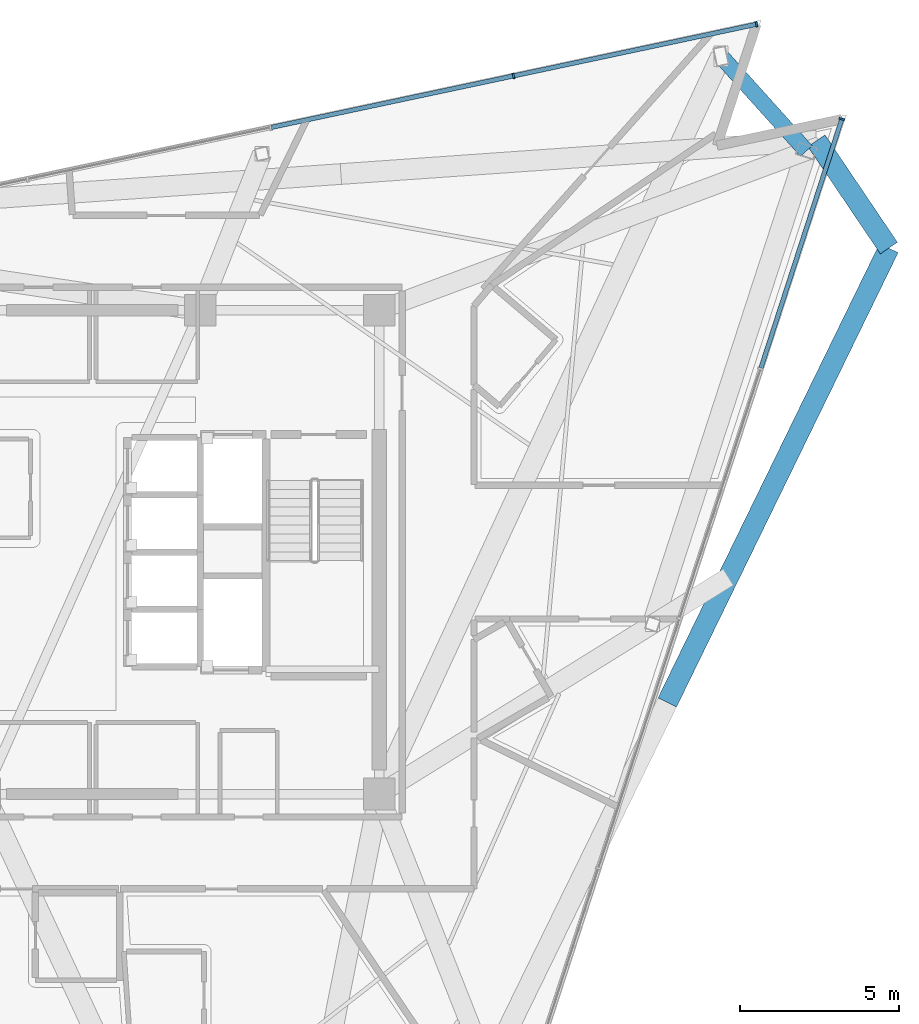
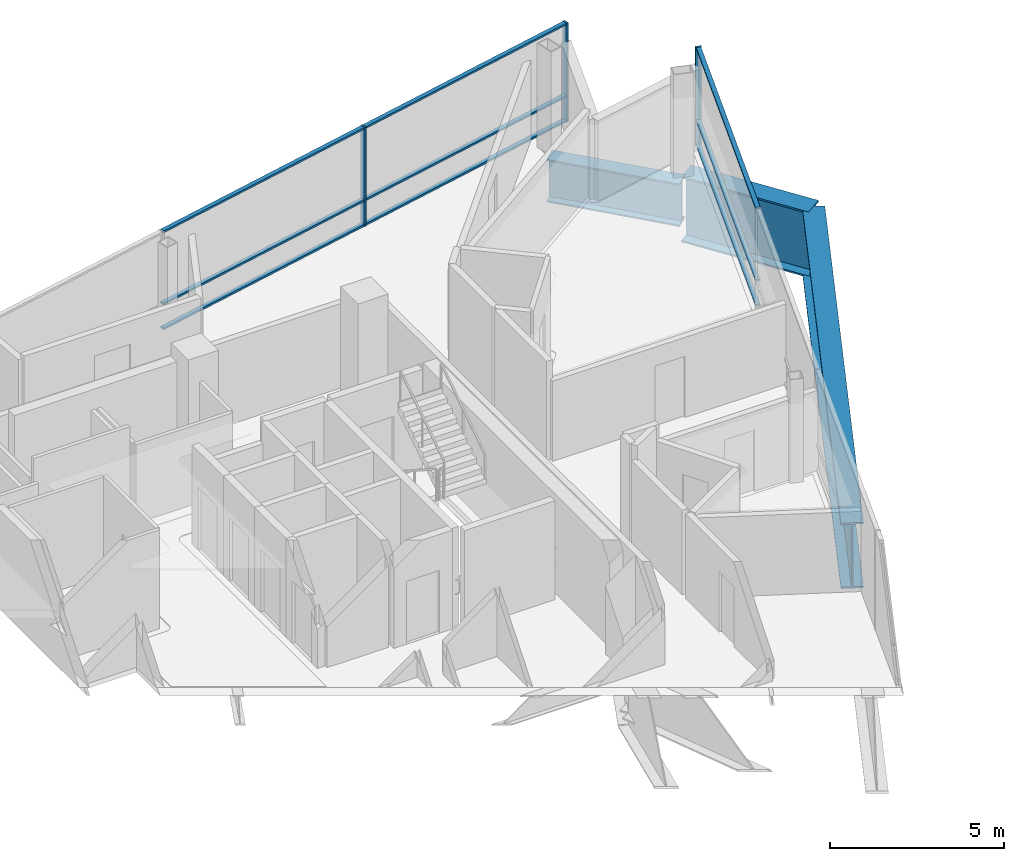
# One storey, part 8 of 18: 12 members, 3 beams, 2 elements without a shape of their own.
"""IFC4 building model written with IfcOpenShell, lengths in metres."""

from ifc_helpers import new_model, si_unit, direction, frame, origin, origin_2d, place, context, subcontext, project, spatial, rectangle, i_section, extrude, material, layer, layer_set, material_profile, profile_set, type_object, element, aggregate, save


model = new_model("IFC4")

# Units and contexts
model_context = context("Model", 3, precision=1e-05, world=origin(), true_north=direction((0.0, 1.0)))
body_context = subcontext(model_context, "Body", "Model", "MODEL_VIEW")
ifc_project = project(units=[si_unit("LENGTHUNIT", "METRE"), si_unit("AREAUNIT", "SQUARE_METRE"), si_unit("VOLUMEUNIT", "CUBIC_METRE"), si_unit("PLANEANGLEUNIT", "RADIAN"), si_unit("MASSUNIT", "GRAM", prefix="KILO")], contexts=[model_context])

# Site, building, storey
site_placement = place(None, origin())
site = spatial("IfcSite", under=ifc_project, at=site_placement, CompositionType="ELEMENT")
building_placement = place(site_placement, origin())
building = spatial("IfcBuilding", under=site, at=building_placement, Name="Tharavind Bronze Gate", CompositionType="ELEMENT")
storey_placement = place(building_placement, frame((0.0, 0.0, 279.75)))
storey = spatial("IfcBuildingStorey", under=building, at=storey_placement, Name="L72", CompositionType="ELEMENT", Elevation=279.75)

# Curtain wall, member
ifc_material_1 = material(Name="Anodised Bronze Aluminium", Category="aluminium")
ifc_layer = layer(ifc_material_1, 0.219970703125)
ifc_layer_set = layer_set([ifc_layer], Name="Anodised Bronze Aluminium")
curtain_wall_type = type_object("IfcCurtainWallType", Name="UNITISED CURTAIN WALL CROWN", PredefinedType="USERDEFINED", material=ifc_layer_set)
curtain_wall_1_placement = place(storey_placement, origin())
curtain_wall_1 = element("IfcCurtainWall", 1, at=curtain_wall_1_placement, inside=storey, type_object=curtain_wall_type, Name="L72 unitised curtain wall crown CW-L72-S2", ObjectType="UNITISED CURTAIN WALL", PredefinedType="USERDEFINED")
member_type_1 = type_object("IfcMemberType", Name="CURTAIN WALL BRONZE MULLION 65X180", PredefinedType="MULLION", material=ifc_material_1)
member_1_placement = place(storey_placement, frame((23.433837890625, 13.603271484375, 0.0), z_axis=(0.0, 0.0, 1.0), x_axis=(0.309016994375, 0.951056516295, 0.0)))
member_1 = element("IfcMember", 2, at=member_1_placement, type_object=member_type_1, Name="CW-L72-S2 mullion 7", PredefinedType="MULLION", context=body_context, shape_type="SweptSolid", body=[
    extrude(rectangle(XDim=0.06494140625, YDim=0.179931640625, at=origin_2d()), origin(), (0.0, 0.0, 1.0), 3.465087890625),
])

# Curtain wall, members
curtain_wall_2_placement = place(storey_placement, origin())
curtain_wall_2 = element("IfcCurtainWall", 3, at=curtain_wall_2_placement, inside=storey, type_object=curtain_wall_type, Name="L72 unitised curtain wall crown CW-L72-S3", ObjectType="UNITISED CURTAIN WALL", PredefinedType="USERDEFINED")
member_2_placement = place(storey_placement, frame((20.751953125, 16.581787109375, 0.0), z_axis=(0.0, 0.0, 1.0), x_axis=(-0.978147237858, -0.207913398007, 0.0)))
member_2 = element("IfcMember", 4, at=member_2_placement, type_object=member_type_1, Name="CW-L72-S3 mullion 1", PredefinedType="MULLION", context=body_context, shape_type="SweptSolid", body=[
    extrude(rectangle(XDim=0.06494140625, YDim=0.179931640625, at=origin_2d()), origin(), (0.0, 0.0, 1.0), 3.465087890625),
])
member_3_placement = place(storey_placement, frame((13.119873046875, 14.959716796875, 0.0), z_axis=(0.0, 0.0, 1.0), x_axis=(-0.978147237858, -0.207913398007, 0.0)))
member_3 = element("IfcMember", 5, at=member_3_placement, type_object=member_type_1, Name="CW-L72-S3 mullion 2", PredefinedType="MULLION", context=body_context, shape_type="SweptSolid", body=[
    extrude(rectangle(XDim=0.06494140625, YDim=0.179931640625, at=origin_2d()), origin(), (0.0, 0.0, 1.0), 3.465087890625),
])

# Member
member_type_2 = type_object("IfcMemberType", Name="CURTAIN WALL BRONZE TRANSOM 65X140", PredefinedType="USERDEFINED", material=ifc_material_1)
member_4_placement = place(storey_placement, frame((22.159423828125, 9.68115234375, 0.0), z_axis=(0.0, 0.0, 1.0), x_axis=(0.309016994375, 0.951056516295, 0.0)))
member_4 = element("IfcMember", 6, at=member_4_placement, type_object=member_type_2, Name="CW-L72-S2 transom TB6", ObjectType="TRANSOM", PredefinedType="USERDEFINED", context=body_context, shape_type="SweptSolid", body=[
    extrude(rectangle(XDim=8.195068359375, YDim=0.139892578125, at=origin_2d()), origin(), (0.0, 0.0, 1.0), 0.06494140625),
])

member_5_placement = place(storey_placement, frame((22.159423828125, 9.68115234375, 0.867431640625), z_axis=(0.0, 0.0, 1.0), x_axis=(0.309016994375, 0.951056516295, 0.0)))
member_5 = element("IfcMember", 7, at=member_5_placement, type_object=member_type_2, Name="CW-L72-S2 transom TS6", ObjectType="TRANSOM", PredefinedType="USERDEFINED", context=body_context, shape_type="SweptSolid", body=[
    extrude(rectangle(XDim=8.195068359375, YDim=0.139892578125, at=origin_2d()), origin(), (0.0, 0.0, 1.0), 0.06494140625),
])

member_6_placement = place(storey_placement, frame((22.159423828125, 9.68115234375, 3.400146484375), z_axis=(0.0, 0.0, 1.0), x_axis=(0.309016994375, 0.951056516295, 0.0)))
member_6 = element("IfcMember", 8, at=member_6_placement, type_object=member_type_2, Name="CW-L72-S2 transom TT6", ObjectType="TRANSOM", PredefinedType="USERDEFINED", context=body_context, shape_type="SweptSolid", body=[
    extrude(rectangle(XDim=8.195068359375, YDim=0.139892578125, at=origin_2d()), origin(), (0.0, 0.0, 1.0), 0.06494140625),
])

aggregate(curtain_wall_1, [member_1, member_4, member_5, member_6])

member_7_placement = place(storey_placement, frame((16.935791015625, 15.770751953125, 0.0), z_axis=(0.0, 0.0, 1.0), x_axis=(-0.978147237858, -0.207913398007, 0.0)))
member_7 = element("IfcMember", 9, at=member_7_placement, type_object=member_type_2, Name="CW-L72-S3 transom TB1", ObjectType="TRANSOM", PredefinedType="USERDEFINED", context=body_context, shape_type="SweptSolid", body=[
    extrude(rectangle(XDim=7.749755859375, YDim=0.139892578125, at=origin_2d()), origin(), (0.0, 0.0, 1.0), 0.06494140625),
])

member_8_placement = place(storey_placement, frame((16.935791015625, 15.770751953125, 0.867431640625), z_axis=(0.0, 0.0, 1.0), x_axis=(-0.978147237858, -0.207913398007, 0.0)))
member_8 = element("IfcMember", 10, at=member_8_placement, type_object=member_type_2, Name="CW-L72-S3 transom TS1", ObjectType="TRANSOM", PredefinedType="USERDEFINED", context=body_context, shape_type="SweptSolid", body=[
    extrude(rectangle(XDim=7.749755859375, YDim=0.139892578125, at=origin_2d()), origin(), (0.0, 0.0, 1.0), 0.06494140625),
])

member_9_placement = place(storey_placement, frame((16.935791015625, 15.770751953125, 3.400146484375), z_axis=(0.0, 0.0, 1.0), x_axis=(-0.978147237858, -0.207913398007, 0.0)))
member_9 = element("IfcMember", 11, at=member_9_placement, type_object=member_type_2, Name="CW-L72-S3 transom TT1", ObjectType="TRANSOM", PredefinedType="USERDEFINED", context=body_context, shape_type="SweptSolid", body=[
    extrude(rectangle(XDim=7.749755859375, YDim=0.139892578125, at=origin_2d()), origin(), (0.0, 0.0, 1.0), 0.06494140625),
])

member_10_placement = place(storey_placement, frame((9.3037109375, 14.1484375, 0.0), z_axis=(0.0, 0.0, 1.0), x_axis=(-0.978147237858, -0.207913398007, 0.0)))
member_10 = element("IfcMember", 12, at=member_10_placement, type_object=member_type_2, Name="CW-L72-S3 transom TB2", ObjectType="TRANSOM", PredefinedType="USERDEFINED", context=body_context, shape_type="SweptSolid", body=[
    extrude(rectangle(XDim=7.749755859375, YDim=0.139892578125, at=origin_2d()), origin(), (0.0, 0.0, 1.0), 0.06494140625),
])

member_11_placement = place(storey_placement, frame((9.3037109375, 14.1484375, 0.867431640625), z_axis=(0.0, 0.0, 1.0), x_axis=(-0.978147237858, -0.207913398007, 0.0)))
member_11 = element("IfcMember", 13, at=member_11_placement, type_object=member_type_2, Name="CW-L72-S3 transom TS2", ObjectType="TRANSOM", PredefinedType="USERDEFINED", context=body_context, shape_type="SweptSolid", body=[
    extrude(rectangle(XDim=7.749755859375, YDim=0.139892578125, at=origin_2d()), origin(), (0.0, 0.0, 1.0), 0.06494140625),
])

member_12_placement = place(storey_placement, frame((9.3037109375, 14.1484375, 3.400146484375), z_axis=(0.0, 0.0, 1.0), x_axis=(-0.978147237858, -0.207913398007, 0.0)))
member_12 = element("IfcMember", 14, at=member_12_placement, type_object=member_type_2, Name="CW-L72-S3 transom TT2", ObjectType="TRANSOM", PredefinedType="USERDEFINED", context=body_context, shape_type="SweptSolid", body=[
    extrude(rectangle(XDim=7.749755859375, YDim=0.139892578125, at=origin_2d()), origin(), (0.0, 0.0, 1.0), 0.06494140625),
])

aggregate(curtain_wall_2, [member_2, member_3, member_7, member_8, member_9, member_10, member_11, member_12])

# Beams
ifc_material_2 = material(Name="Steel S460", Category="steel")
ifc_material_profile_1 = material_profile(ifc_material_2, i_section(OverallWidth=0.5, OverallDepth=1.5, WebThickness=0.028076171875, FlangeThickness=0.050048828125, at=origin_2d()), Name="PG1500X500")
ifc_profile_set_1 = profile_set([ifc_material_profile_1], Name="Steel S460")
beam_type_1 = type_object("IfcBeamType", Name="TRANSFER GIRDER 1500X500", PredefinedType="USERDEFINED", material=ifc_profile_set_1)
beam_1_placement = place(storey_placement, frame((22.319091796875, 12.599609375, -0.93994140625), z_axis=(-0.669132983361, 0.743142685208, 0.0), x_axis=(-0.743142685208, -0.669132983361, 0.0)))
element("IfcBeam", 15, at=beam_1_placement, inside=storey, type_object=beam_type_1, Name="L72 transfer girder 1500x500 BM-L72-URG08", ObjectType="TRANSFER GIRDER", PredefinedType="USERDEFINED", context=body_context, shape_type="SweptSolid", body=[
    extrude(i_section(OverallWidth=0.5, OverallDepth=1.5, WebThickness=0.028076171875, FlangeThickness=0.050048828125, at=origin_2d()), origin(), (0.0, 0.0, 1.0), 4.008056640625),
])
ifc_material_profile_2 = material_profile(ifc_material_2, i_section(OverallWidth=0.64990234375, OverallDepth=2.300048828125, WebThickness=0.035888671875, FlangeThickness=0.05810546875, at=origin_2d()), Name="PG2300X650")
ifc_profile_set_2 = profile_set([ifc_material_profile_2], Name="Steel S460")
beam_type_2 = type_object("IfcBeamType", Name="TRANSFER GIRDER 2300X650", PredefinedType="USERDEFINED", material=ifc_profile_set_2)
beam_2_placement = place(storey_placement, frame((17.950927734375, -4.721923828125, -1.340087890625), z_axis=(0.438366378116, 0.898796372121, 0.0), x_axis=(-0.898796372121, 0.438366378116, 0.0)))
element("IfcBeam", 16, at=beam_2_placement, inside=storey, type_object=beam_type_2, Name="L72 transfer girder 2300x650 BM-L72-LRG07", ObjectType="TRANSFER GIRDER", PredefinedType="USERDEFINED", context=body_context, shape_type="SweptSolid", body=[
    extrude(i_section(OverallWidth=0.64990234375, OverallDepth=2.300048828125, WebThickness=0.035888671875, FlangeThickness=0.05810546875, at=origin_2d()), origin(), (0.0, 0.0, 1.0), 15.878662109375),
])
beam_3_placement = place(storey_placement, frame((24.91162109375, 9.5498046875, -1.340087890625), z_axis=(-0.559165651986, 0.829055953262, 0.0), x_axis=(-0.829055953262, -0.559165651986, 0.0)))
element("IfcBeam", 17, at=beam_3_placement, inside=storey, type_object=beam_type_2, Name="L72 transfer girder 2300x650 BM-L72-LRG08", ObjectType="TRANSFER GIRDER", PredefinedType="USERDEFINED", context=body_context, shape_type="SweptSolid", body=[
    extrude(i_section(OverallWidth=0.64990234375, OverallDepth=2.300048828125, WebThickness=0.035888671875, FlangeThickness=0.05810546875, at=origin_2d()), origin(), (0.0, 0.0, 1.0), 4.06787109375),
])

save(model, "model.ifc")
